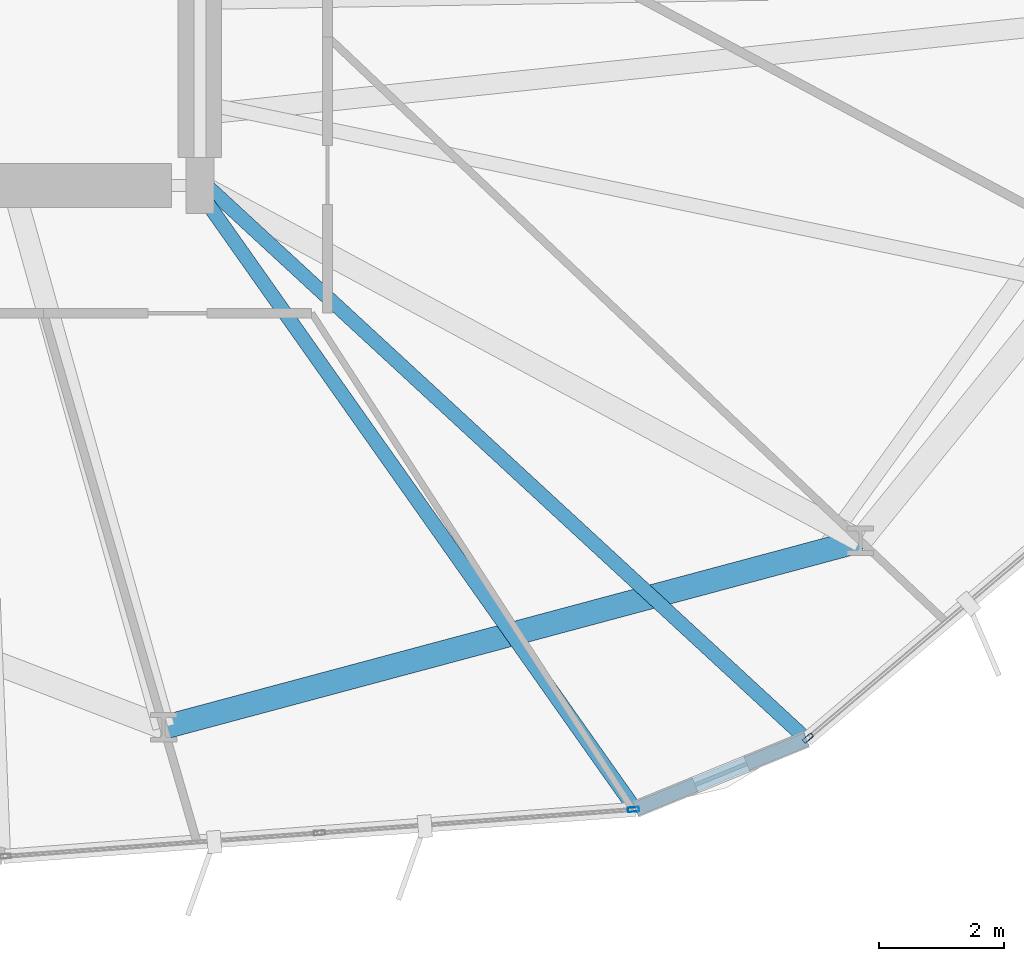
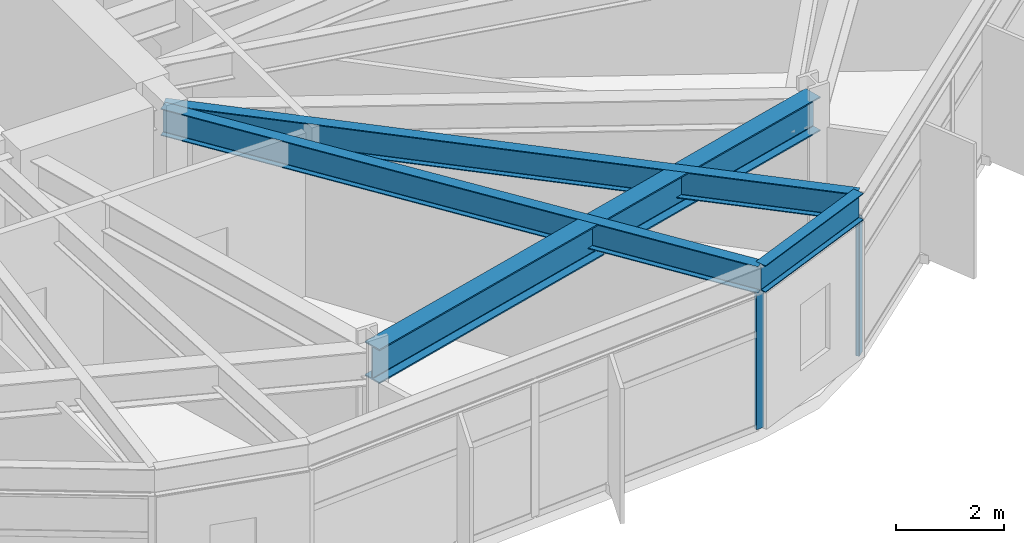
# One storey, part 5 of 22: 4 beams, 2 members, 2 elements without a shape of their own.
"""IFC4 building model written with IfcOpenShell, lengths in metres."""

from ifc_helpers import new_model, si_unit, direction, frame, origin, origin_2d, place, context, subcontext, project, spatial, hollow_rectangle, i_section, extrude, material, layer, layer_set, material_profile, profile_set, type_object, element, aggregate, save


model = new_model("IFC4")

# Units and contexts
model_context = context("Model", 3, precision=1e-05, world=origin(), true_north=direction((0.0, 1.0)))
body_context = subcontext(model_context, "Body", "Model", "MODEL_VIEW")
ifc_project = project(units=[si_unit("LENGTHUNIT", "METRE"), si_unit("AREAUNIT", "SQUARE_METRE"), si_unit("VOLUMEUNIT", "CUBIC_METRE"), si_unit("PLANEANGLEUNIT", "RADIAN"), si_unit("MASSUNIT", "GRAM", prefix="KILO")], contexts=[model_context])

# Site, building, storey
site_placement = place(None, origin())
site = spatial("IfcSite", under=ifc_project, at=site_placement, CompositionType="ELEMENT")
building_placement = place(site_placement, origin())
building = spatial("IfcBuilding", under=site, at=building_placement, Name="Soratama Intermodal Tower", CompositionType="ELEMENT")
storey_placement = place(building_placement, frame((0.0, 0.0, 46.60009765625)))
storey = spatial("IfcBuildingStorey", under=building, at=storey_placement, Name="L10", CompositionType="ELEMENT", Elevation=46.60009765625)

# Beams
ifc_material_1 = material(Name="Structural steel ASTM A992 Grade 50", Category="steel")
ifc_material_profile_1 = material_profile(ifc_material_1, i_section(OverallWidth=0.382080078125, OverallDepth=0.779052734375, WebThickness=0.01806640625, FlangeThickness=0.030029296875, FilletRadius=0.01806640625, at=origin_2d()), Name="W30X191")
ifc_profile_set_1 = profile_set([ifc_material_profile_1], Name="Structural steel ASTM A992 Grade 50")
beam_type_1 = type_object("IfcBeamType", Name="BM-RING-W30X191", PredefinedType="BEAM", material=ifc_profile_set_1)
beam_1_placement = place(storey_placement, frame((44.02001953125, 6.305908203125, 3.310302734375), z_axis=(0.965935902196, 0.258781438376, 0.0), x_axis=(-0.258781438376, 0.965935902196, 0.0)))
element("IfcBeam", 1, at=beam_1_placement, inside=storey, type_object=beam_type_1, Name="BM-L10-RING-08", PredefinedType="BEAM", context=body_context, shape_type="SweptSolid", body=[
    extrude(i_section(OverallWidth=0.382080078125, OverallDepth=0.779052734375, WebThickness=0.01806640625, FlangeThickness=0.030029296875, FilletRadius=0.01806640625, at=origin_2d()), origin(), (0.0, 0.0, 1.0), 11.570068359375),
])
ifc_material_2 = material(Name="Structural steel ASTM A992 Grade 50", Category="steel")
ifc_material_profile_2 = material_profile(ifc_material_2, i_section(OverallWidth=0.22900390625, OverallDepth=0.612060546875, WebThickness=0.011962890625, FlangeThickness=0.01953125, FilletRadius=0.012939453125, at=origin_2d()), Name="W24X84")
ifc_profile_set_2 = profile_set([ifc_material_profile_2], Name="Structural steel ASTM A992 Grade 50")
beam_type_2 = type_object("IfcBeamType", Name="BM-SPN-W24X84", PredefinedType="SPANDREL", material=ifc_profile_set_2)
beam_2_placement = place(storey_placement, frame((51.5869140625, 4.990966796875, 3.393798828125), z_axis=(0.925473543088, 0.378812250389, 0.0), x_axis=(-0.378812250389, 0.925473543088, 0.0)))
element("IfcBeam", 2, at=beam_2_placement, inside=storey, type_object=beam_type_2, Name="BS-L10-CRN08", PredefinedType="SPANDREL", context=body_context, shape_type="SweptSolid", body=[
    extrude(i_section(OverallWidth=0.22900390625, OverallDepth=0.612060546875, WebThickness=0.011962890625, FlangeThickness=0.01953125, FilletRadius=0.012939453125, at=origin_2d()), origin(), (0.0, 0.0, 1.0), 2.96728515625),
])
ifc_material_3 = material(Name="Structural steel ASTM A992 Grade 50", Category="steel")
ifc_material_profile_3 = material_profile(ifc_material_3, i_section(OverallWidth=0.22900390625, OverallDepth=0.612060546875, WebThickness=0.011962890625, FlangeThickness=0.01953125, FilletRadius=0.012939453125, at=origin_2d()), Name="W24X84")
ifc_profile_set_3 = profile_set([ifc_material_profile_3], Name="Structural steel ASTM A992 Grade 50")
beam_type_3 = type_object("IfcBeamType", Name="BM-TIE-W24X84", PredefinedType="BEAM", material=ifc_profile_set_3)
beam_3_placement = place(storey_placement, frame((44.5439453125, 14.967041015625, 3.393798828125), z_axis=(0.57673971043, -0.816927968926, 0.0), x_axis=(0.816927968926, 0.57673971043, 0.0)))
element("IfcBeam", 3, at=beam_3_placement, inside=storey, type_object=beam_type_3, Name="BM-L10-TIE1-08", PredefinedType="BEAM", context=body_context, shape_type="SweptSolid", body=[
    extrude(i_section(OverallWidth=0.22900390625, OverallDepth=0.612060546875, WebThickness=0.011962890625, FlangeThickness=0.01953125, FilletRadius=0.012939453125, at=origin_2d()), origin(), (0.0, 0.0, 1.0), 12.211669921875),
])
beam_4_placement = place(storey_placement, frame((44.62890625, 15.070068359375, 3.393798828125), z_axis=(0.734899839793, -0.678175659746, 0.0), x_axis=(0.678175659746, 0.734899839793, 0.0)))
element("IfcBeam", 4, at=beam_4_placement, inside=storey, type_object=beam_type_3, Name="BM-L10-TIE0-09", PredefinedType="BEAM", context=body_context, shape_type="SweptSolid", body=[
    extrude(i_section(OverallWidth=0.22900390625, OverallDepth=0.612060546875, WebThickness=0.011962890625, FlangeThickness=0.01953125, FilletRadius=0.012939453125, at=origin_2d()), origin(), (0.0, 0.0, 1.0), 13.20458984375),
])

# Curtain wall, member
ifc_material_4 = material(Name="Double-glazed aluminium curtain wall", Category="aluminium")
ifc_layer = layer(ifc_material_4, 0.159912109375)
ifc_layer_set = layer_set([ifc_layer], Name="Double-glazed aluminium curtain wall")
curtain_wall_type = type_object("IfcCurtainWallType", Name="CW-SYS-2", PredefinedType="NOTDEFINED", material=ifc_layer_set)
curtain_wall_1_placement = place(storey_placement, origin())
curtain_wall_1 = element("IfcCurtainWall", 5, at=curtain_wall_1_placement, inside=storey, type_object=curtain_wall_type, Name="L10 Faceted Curtain Wall F08", PredefinedType="NOTDEFINED")
ifc_material_5 = material(Name="Anodised aluminium AA 6063-T6", Category="aluminium")
ifc_material_profile_4 = material_profile(ifc_material_5, hollow_rectangle(XDim=0.074951171875, YDim=0.179931640625, WallThickness=0.006103515625, InnerFilletRadius=0.006103515625, OuterFilletRadius=0.011962890625, at=origin_2d()), Name="CWM180X75X6")
ifc_profile_set_4 = profile_set([ifc_material_profile_4], Name="Anodised aluminium AA 6063-T6")
member_type = type_object("IfcMemberType", Name="MT-CWM-2", PredefinedType="MULLION", material=ifc_profile_set_4)
member_1_placement = place(storey_placement, frame((51.55712890625, 4.9892578125, 0.0), z_axis=(0.0, 0.0, 1.0), x_axis=(-0.074282961886, 0.997237204267, 0.0)))
member_1 = element("IfcMember", 6, at=member_1_placement, type_object=member_type, Name="CW-2 mullion 3", PredefinedType="MULLION", context=body_context, shape_type="SweptSolid", body=[
    extrude(hollow_rectangle(XDim=0.074951171875, YDim=0.179931640625, WallThickness=0.006103515625, InnerFilletRadius=0.006103515625, OuterFilletRadius=0.011962890625, at=origin_2d()), origin(), (0.0, 0.0, 1.0), 3.078857421875),
])
aggregate(curtain_wall_1, [member_1])

curtain_wall_2_placement = place(storey_placement, origin())
curtain_wall_2 = element("IfcCurtainWall", 7, at=curtain_wall_2_placement, inside=storey, type_object=curtain_wall_type, Name="L10 Faceted Curtain Wall F09", PredefinedType="NOTDEFINED")
member_2_placement = place(storey_placement, frame((54.35546875, 6.134521484375, 0.0), z_axis=(0.0, 0.0, 1.0), x_axis=(-0.646259255872, 0.763117929419, 0.0)))
member_2 = element("IfcMember", 8, at=member_2_placement, type_object=member_type, Name="CW-2 mullion 1", PredefinedType="MULLION", context=body_context, shape_type="SweptSolid", body=[
    extrude(hollow_rectangle(XDim=0.074951171875, YDim=0.179931640625, WallThickness=0.006103515625, InnerFilletRadius=0.006103515625, OuterFilletRadius=0.011962890625, at=origin_2d()), origin(), (0.0, 0.0, 1.0), 3.078857421875),
])
aggregate(curtain_wall_2, [member_2])

save(model, "model.ifc")
